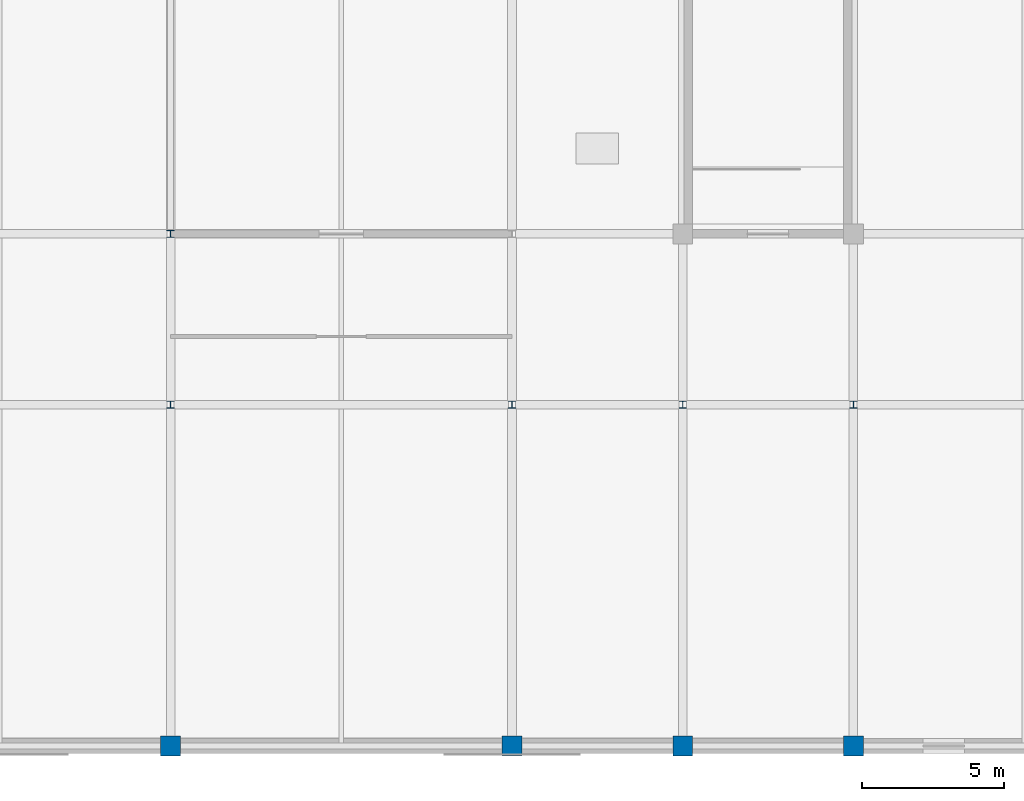
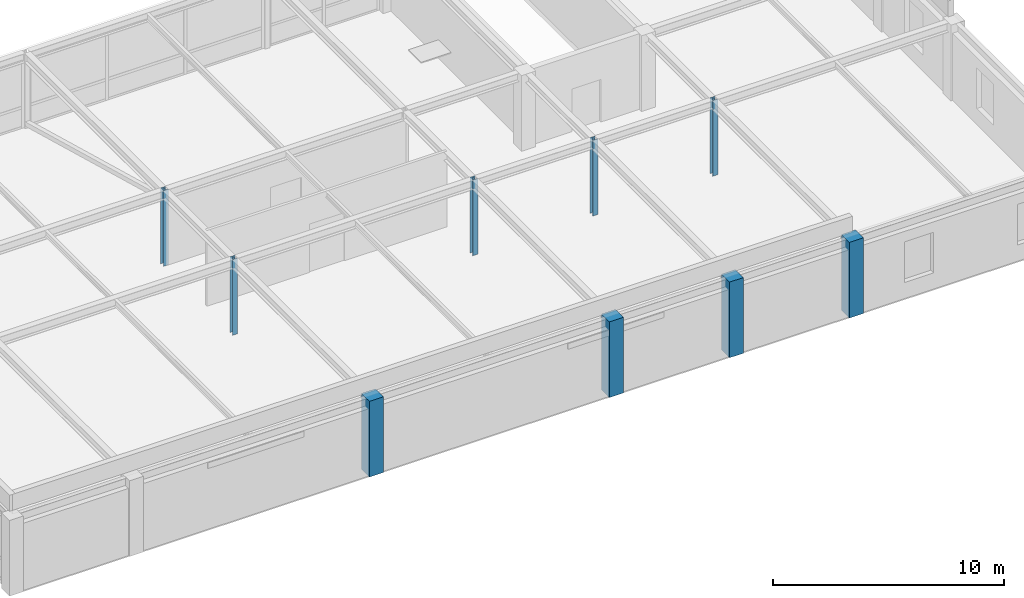
# One storey, part 21 of 111: 9 columns.
"""IFC4 building model written with IfcOpenShell, lengths in metres."""

from ifc_helpers import new_model, si_unit, direction, frame, origin, origin_2d, place, context, subcontext, project, spatial, rectangle, i_section, extrude, material, material_profile, profile_set, type_object, element, save


model = new_model("IFC4")

# Units and contexts
model_context = context("Model", 3, precision=1e-05, world=origin(), true_north=direction((0.0, 1.0)))
body_context = subcontext(model_context, "Body", "Model", "MODEL_VIEW")
ifc_project = project(units=[si_unit("LENGTHUNIT", "METRE"), si_unit("AREAUNIT", "SQUARE_METRE"), si_unit("VOLUMEUNIT", "CUBIC_METRE"), si_unit("PLANEANGLEUNIT", "RADIAN"), si_unit("MASSUNIT", "GRAM", prefix="KILO")], contexts=[model_context])

# Site, building, storey
site_placement = place(None, origin())
site = spatial("IfcSite", under=ifc_project, at=site_placement, CompositionType="ELEMENT")
building_placement = place(site_placement, origin())
building = spatial("IfcBuilding", under=site, at=building_placement, Name="Zlatovratsky Civic Hall", CompositionType="ELEMENT")
storey_placement = place(building_placement, frame((0.0, 0.0, 16.5)))
storey = spatial("IfcBuildingStorey", under=building, at=storey_placement, Name="L04", CompositionType="ELEMENT", Elevation=16.5)

# Columns
ifc_material_1 = material(Name="Concrete C35/45 (B40)", Category="concrete")
ifc_material_profile_1 = material_profile(ifc_material_1, rectangle(XDim=0.699951171875, YDim=0.699951171875, at=origin_2d()), Name="RC 700x700")
ifc_profile_set_1 = profile_set([ifc_material_profile_1], Name="Concrete C35/45 (B40)")
column_type_1 = type_object("IfcColumnType", Name="Col_CorePier_RC700", PredefinedType="COLUMN", material=ifc_profile_set_1)
for number, where, z_axis, x_axis, name in (
    (1, (132.0, 0.0, 0.0), (0.0, 0.0, 1.0), (1.0, 0.0, 0.0), "CL-1560"),
    (2, (144.0, 0.0, 0.0), (0.0, 0.0, 1.0), (1.0, 0.0, 0.0), "CL-1561"),
    (3, (150.0, 0.0, 0.0), (0.0, 0.0, 1.0), (1.0, 0.0, 0.0), "CL-1562"),
    (4, (156.0, 0.0, 0.0), (0.0, 0.0, 1.0), (1.0, 0.0, 0.0), "CL-1563"),
):
    element("IfcColumn", number, at=place(storey_placement, frame(where, z_axis=z_axis, x_axis=x_axis)), inside=storey, type_object=column_type_1, Name=name, PredefinedType="COLUMN", context=body_context, shape_type="SweptSolid", body=[
        extrude(rectangle(XDim=0.699951171875, YDim=0.699951171875, at=origin_2d()), origin(), (0.0, 0.0, 1.0), 4.0),
    ])
ifc_material_2 = material(Name="Steel S355", Category="steel")
ifc_material_profile_2 = material_profile(ifc_material_2, i_section(OverallWidth=0.25, OverallDepth=0.25, WebThickness=0.009033203125, FlangeThickness=0.013916015625, FilletRadius=0.01611328125, at=origin_2d()), Name="25K2")
ifc_profile_set_2 = profile_set([ifc_material_profile_2], Name="Steel S355")
column_type_2 = type_object("IfcColumnType", Name="Col_Steel_25K2", PredefinedType="COLUMN", material=ifc_profile_set_2)
for number, where, z_axis, x_axis, name in (
    (5, (132.0, 12.0, 0.0), (0.0, 0.0, 1.0), (1.0, 0.0, 0.0), "CL-1583"),
    (6, (144.0, 12.0, 0.0), (0.0, 0.0, 1.0), (1.0, 0.0, 0.0), "CL-1584"),
    (7, (150.0, 12.0, 0.0), (0.0, 0.0, 1.0), (1.0, 0.0, 0.0), "CL-1585"),
    (8, (156.0, 12.0, 0.0), (0.0, 0.0, 1.0), (1.0, 0.0, 0.0), "CL-1586"),
    (9, (132.0, 18.0, 0.0), (0.0, 0.0, 1.0), (1.0, 0.0, 0.0), "CL-1606"),
):
    element("IfcColumn", number, at=place(storey_placement, frame(where, z_axis=z_axis, x_axis=x_axis)), inside=storey, type_object=column_type_2, Name=name, PredefinedType="COLUMN", context=body_context, shape_type="SweptSolid", body=[
        extrude(i_section(OverallWidth=0.25, OverallDepth=0.25, WebThickness=0.009033203125, FlangeThickness=0.013916015625, FilletRadius=0.01611328125, at=origin_2d()), origin(), (0.0, 0.0, 1.0), 4.0),
    ])

save(model, "model.ifc")
